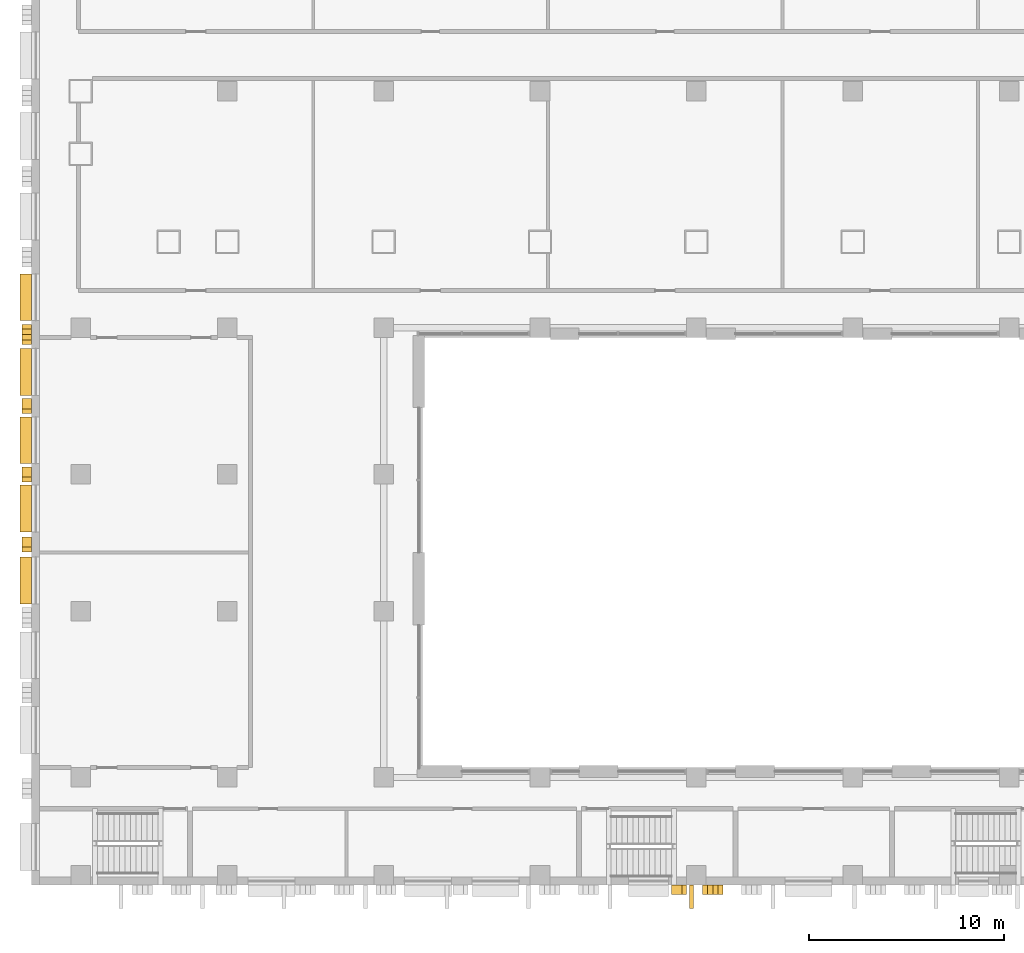
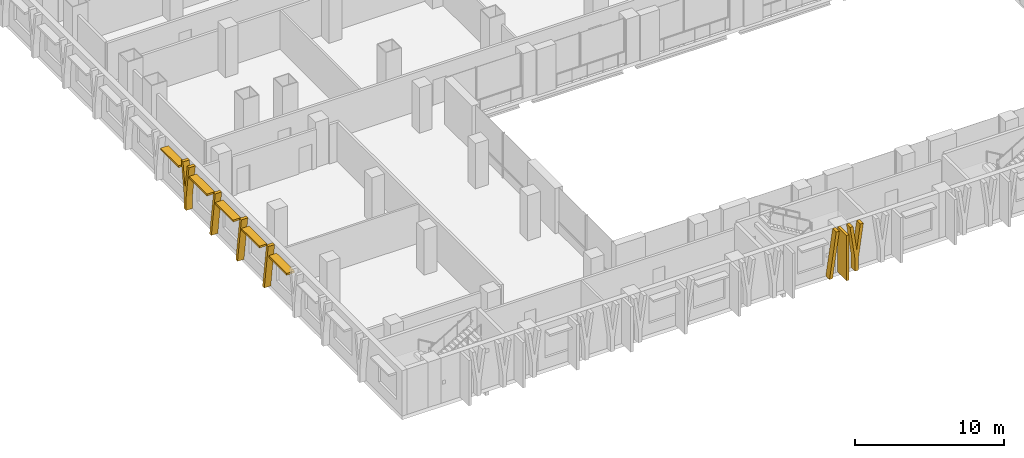
# One storey, part 18 of 24: 12 shading devices.
"""IFC4 building model written with IfcOpenShell, lengths in metres."""

from ifc_helpers import new_model, si_unit, direction, frame, frame_2d, origin, origin_2d, place, context, subcontext, project, spatial, polyline, rectangle, outline, extrude, material, layer, layer_set, type_object, element, save


model = new_model("IFC4")

# Units and contexts
model_context = context("Model", 3, precision=1e-05, world=origin(), true_north=direction((0.0, 1.0)))
body_context = subcontext(model_context, "Body", "Model", "MODEL_VIEW")
ifc_project = project(units=[si_unit("LENGTHUNIT", "METRE"), si_unit("AREAUNIT", "SQUARE_METRE"), si_unit("VOLUMEUNIT", "CUBIC_METRE"), si_unit("PLANEANGLEUNIT", "RADIAN"), si_unit("MASSUNIT", "GRAM", prefix="KILO")], contexts=[model_context])

# Site, building, storey
site_placement = place(None, origin())
site = spatial("IfcSite", under=ifc_project, at=site_placement, CompositionType="ELEMENT")
building_placement = place(site_placement, origin())
building = spatial("IfcBuilding", under=site, at=building_placement, Name="Vidyagriha Tower", CompositionType="ELEMENT")
storey_placement = place(building_placement, frame((0.0, 0.0, 22.0)))
storey = spatial("IfcBuildingStorey", under=building, at=storey_placement, Name="L05", CompositionType="ELEMENT", Elevation=22.0)

# Shading devices
ifc_material_1 = material(Name="Precast concrete C40/50 with brick facing", Category="concrete")
ifc_layer_1 = layer(ifc_material_1, 0.14990234375)
ifc_layer_set_1 = layer_set([ifc_layer_1], Name="Precast concrete C40/50 with brick facing")
shading_device_type_1 = type_object("IfcShadingDeviceType", Name="Brick chhajja window hood", PredefinedType="AWNING", material=ifc_layer_set_1)
for number, where, z_axis, x_axis, name in (
    (1, (-40.300048828125, -19.9375, 3.0), (0.0, 0.0, 1.0), (0.0, -1.0, 0.0), "Window hood L05 R05.10"),
    (2, (-40.300048828125, -23.75, 3.0), (0.0, 0.0, 1.0), (0.0, -1.0, 0.0), "Window hood L05 R05.11"),
    (3, (-40.300048828125, -27.25, 3.0), (0.0, 0.0, 1.0), (0.0, -1.0, 0.0), "Window hood L05 R05.12"),
    (4, (-40.300048828125, -30.75, 3.0), (0.0, 0.0, 1.0), (0.0, -1.0, 0.0), "Window hood L05 R05.13"),
    (5, (-40.300048828125, -34.416748046875, 3.0), (0.0, 0.0, 1.0), (0.0, -1.0, 0.0), "Window hood L05 R05.14"),
):
    element("IfcShadingDevice", number, at=place(storey_placement, frame(where, z_axis=z_axis, x_axis=x_axis)), inside=storey, type_object=shading_device_type_1, Name=name, PredefinedType="AWNING", context=body_context, shape_type="SweptSolid", body=[
        extrude(rectangle(XDim=2.39990234375, YDim=0.60009765625, at=origin_2d()), origin(), (0.0, 0.0, 1.0), 0.14990234375),
    ])
ifc_material_2 = material(Name="Precast concrete C40/50 with buff brick facing", Category="concrete")
ifc_layer_2 = layer(ifc_material_2, 0.300048828125)
ifc_layer_set_2 = layer_set([ifc_layer_2], Name="Precast concrete C40/50 with buff brick facing")
shading_device_type_2 = type_object("IfcShadingDeviceType", Name="Brick-faced podium blade forking 8 degrees", PredefinedType="USERDEFINED", material=ifc_layer_set_2)
shading_device_1_placement = place(storey_placement, frame((-40.25, -21.328369140625, 0.0), z_axis=(0.0, 0.0, 1.0), x_axis=(0.0, -1.0, 0.0)))
element("IfcShadingDevice", 6, at=shading_device_1_placement, inside=storey, type_object=shading_device_type_2, Name="Podium blade L05 R05.4184", ObjectType="BLADE FIN", PredefinedType="USERDEFINED", context=body_context, shape_type="SweptSolid", body=[
    extrude(outline(polyline([(0.665283203125, 0.0), (0.665283203125, 1.10009765625), (1.03076171875, 3.699951171875), (0.790771484375, 3.699951171875), (0.515380859375, 1.740478515625), (0.239990234375, 3.699951171875), (0.0, 3.699951171875), (0.365478515625, 1.10009765625), (0.365478515625, 0.0), (0.665283203125, 0.0)])), frame((0.0, 0.25, 0.0), z_axis=(0.0, -1.0, 0.0), x_axis=(1.0, 0.0, 0.0)), (0.0, 0.0, 1.0), 0.5),
])
shading_device_2_placement = place(storey_placement, frame((-5.67578125, -50.25, 0.0)))
element("IfcShadingDevice", 7, at=shading_device_2_placement, inside=storey, type_object=shading_device_type_2, Name="Podium blade L05 R06.3444", ObjectType="BLADE FIN", PredefinedType="USERDEFINED", context=body_context, shape_type="SweptSolid", body=[
    extrude(outline(polyline([(0.665283203125, 0.0), (0.665283203125, 1.10009765625), (1.03076171875, 3.699951171875), (0.790771484375, 3.699951171875), (0.515380859375, 1.740478515625), (0.239990234375, 3.699951171875), (0.0, 3.699951171875), (0.365478515625, 1.10009765625), (0.365478515625, 0.0), (0.665283203125, 0.0)])), frame((0.0, 0.25, 0.0), z_axis=(0.0, -1.0, 0.0), x_axis=(1.0, 0.0, 0.0)), (0.0, 0.0, 1.0), 0.5),
])
ifc_material_3 = material(Name="Precast concrete C40/50 with buff brick facing", Category="concrete")
ifc_layer_3 = layer(ifc_material_3, 0.239990234375)
ifc_layer_set_3 = layer_set([ifc_layer_3], Name="Precast concrete C40/50 with buff brick facing")
shading_device_type_3 = type_object("IfcShadingDeviceType", Name="Brick-faced podium blade leaning 8 degrees", PredefinedType="USERDEFINED", material=ifc_layer_set_3)
for number, where, z_axis, x_axis, name in (
    (8, (-40.25, -25.1201171875, 0.0), (0.0, 0.0, 1.0), (0.0, -1.0, 0.0), "Podium blade L05 R05.4550"),
    (9, (-40.25, -28.6201171875, 0.0), (0.0, 0.0, 1.0), (0.0, -1.0, 0.0), "Podium blade L05 R05.4900"),
    (10, (-40.25, -32.203369140625, 0.0), (0.0, 0.0, 1.0), (0.0, -1.0, 0.0), "Podium blade L05 R05.5258"),
):
    element("IfcShadingDevice", number, at=place(storey_placement, frame(where, z_axis=z_axis, x_axis=x_axis)), inside=storey, type_object=shading_device_type_3, Name=name, ObjectType="BLADE FIN", PredefinedType="USERDEFINED", context=body_context, shape_type="SweptSolid", body=[
        extrude(outline(polyline([(0.0, 0.0), (0.239990234375, 0.0), (0.760009765625, 3.699951171875), (0.52001953125, 3.699951171875), (0.0, 0.0)])), frame((0.0, 0.25, 0.0), z_axis=(0.0, -1.0, 0.0), x_axis=(1.0, 0.0, 0.0)), (0.0, 0.0, 1.0), 0.5),
    ])
shading_device_3_placement = place(storey_placement, frame((-7.263916015625, -50.25, 0.0)))
element("IfcShadingDevice", 11, at=shading_device_3_placement, inside=storey, type_object=shading_device_type_3, Name="Podium blade L05 R06.3272", ObjectType="BLADE FIN", PredefinedType="USERDEFINED", context=body_context, shape_type="SweptSolid", body=[
    extrude(outline(polyline([(0.0, 0.0), (0.239990234375, 0.0), (0.760009765625, 3.699951171875), (0.52001953125, 3.699951171875), (0.0, 0.0)])), frame((0.0, 0.25, 0.0), z_axis=(0.0, -1.0, 0.0), x_axis=(1.0, 0.0, 0.0)), (0.0, 0.0, 1.0), 0.5),
])
ifc_material_4 = material(Name="Precast concrete C40/50 with brick facing", Category="concrete")
ifc_layer_4 = layer(ifc_material_4, 0.199951171875)
ifc_layer_set_4 = layer_set([ifc_layer_4], Name="Precast concrete C40/50 with brick facing")
shading_device_type_4 = type_object("IfcShadingDeviceType", Name="Brick-faced solar fin 1200", PredefinedType="USERDEFINED", material=ifc_layer_set_4)
shading_device_4_placement = place(storey_placement, frame((-6.252685546875, -50.0, 0.0), z_axis=(0.0, 0.0, 1.0), x_axis=(0.0, -1.0, 0.0)))
element("IfcShadingDevice", 12, at=shading_device_4_placement, inside=storey, type_object=shading_device_type_4, Name="Solar fin L05 R06.8", ObjectType="SOLAR FIN", PredefinedType="USERDEFINED", context=body_context, shape_type="SweptSolid", body=[
    extrude(rectangle(XDim=1.199951171875, YDim=0.199951171875, at=frame_2d((0.60009765625, 0.0))), origin(), (0.0, 0.0, 1.0), 3.699951171875),
])

save(model, "model.ifc")
